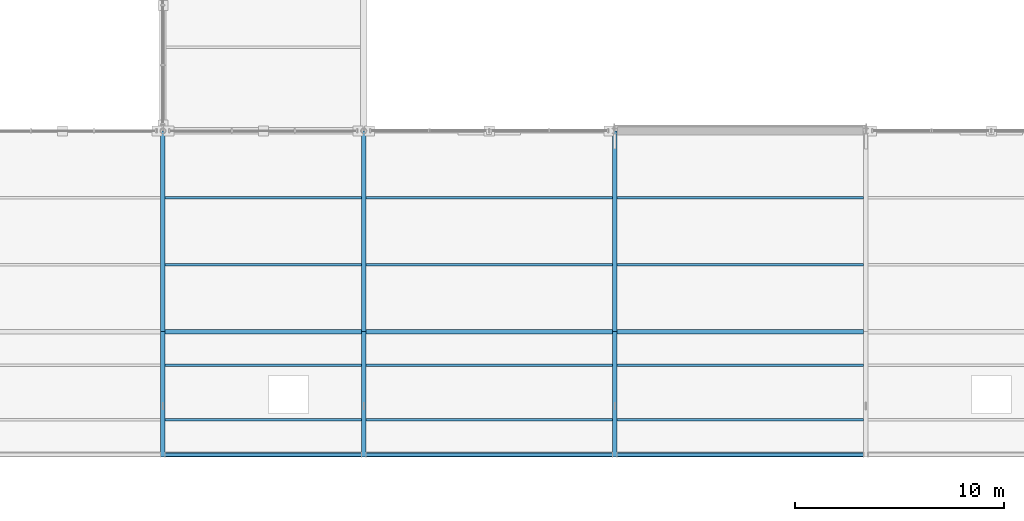
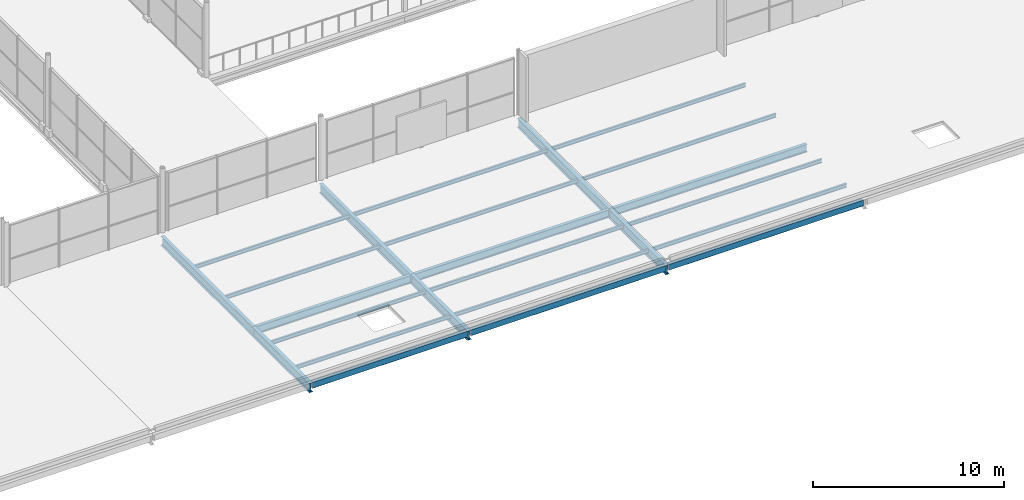
# One storey, part 43 of 159: 24 beams.
"""IFC4 building model written with IfcOpenShell, lengths in metres."""

import ifcopenshell
import ifcopenshell.guid

model = None  # the IFC model being written
_history = None  # IfcOwnerHistory: only IFC2X3 demands one
_inside = {}  # id of a spatial element -> (the spatial element, [elements in it])
_under = {}  # id of a project, library or spatial element -> (it, [spatial elements below it])
_declared = {}  # id of a project -> (the project, [libraries it declares])
_typed = {}  # id of a type object -> (the type object, [elements of that type])
_made_of = {}  # id of a material, layer set ... -> (it, [elements and type objects made of it])


def new_model(schema):
    """Start an empty IFC model of exactly this schema.

    Asked for "IFC4X3", IfcOpenShell would pick the latest addendum, in which some entities
    have other attributes; the version numbers below select the first issue.
    IFC2X3 requires an IfcOwnerHistory on every rooted entity: one is made here for all.
    """
    global model, _history
    if schema == "IFC4X3":
        model = ifcopenshell.file(schema_version=(4, 3, 0, 0))
    else:
        model = ifcopenshell.file(schema=schema)
    _inside.clear()
    _under.clear()
    _declared.clear()
    _typed.clear()
    _made_of.clear()
    _history = None
    if model.schema == "IFC2X3":
        org = make("IfcOrganization", Name="unknown")
        user = make(
            "IfcPersonAndOrganization",
            ThePerson=make("IfcPerson", FamilyName="unknown"),
            TheOrganization=org,
        )
        app = make(
            "IfcApplication",
            ApplicationDeveloper=org,
            Version="unknown",
            ApplicationFullName="unknown",
            ApplicationIdentifier="unknown",
        )
        _history = make(
            "IfcOwnerHistory",
            OwningUser=user,
            OwningApplication=app,
            ChangeAction="ADDED",
            CreationDate=0,
        )
    return model


def make(cls, **values):
    """One entity of the class cls with the attributes given. An attribute that is None is left unset."""
    return model.create_entity(
        cls, **{name: value for name, value in values.items() if value is not None}
    )


def rooted(cls, **values):
    """An entity with a GlobalId (a new one), such as an element, a storey or a relation."""
    return make(cls, GlobalId=ifcopenshell.guid.new(), OwnerHistory=_history, **values)


def si_unit(unit_type, name, prefix=None):
    """IfcSIUnit, for example si_unit("LENGTHUNIT", "METRE", prefix="MILLI")."""
    return make("IfcSIUnit", UnitType=unit_type, Prefix=prefix, Name=name)


def assignment(units):
    """IfcUnitAssignment: the units of a project."""
    return None if units is None else make("IfcUnitAssignment", Units=units)


def point(xyz):
    """IfcCartesianPoint."""
    return None if xyz is None else make("IfcCartesianPoint", Coordinates=xyz)


def direction(xyz):
    """IfcDirection."""
    return None if xyz is None else make("IfcDirection", DirectionRatios=xyz)


def frame(location, z_axis=None, x_axis=None):
    """IfcAxis2Placement3D, a coordinate frame: its origin and axes. An axis left out is left unset."""
    return make(
        "IfcAxis2Placement3D",
        Location=point(location),
        Axis=direction(z_axis),
        RefDirection=direction(x_axis),
    )


def frame_2d(location, x_axis=None):
    """IfcAxis2Placement2D, a coordinate frame in the plane: its origin and x axis."""
    return make(
        "IfcAxis2Placement2D", Location=point(location), RefDirection=direction(x_axis)
    )


def origin():
    """The frame at (0, 0, 0) with its axes left unset."""
    return frame((0.0, 0.0, 0.0))


def origin_2d():
    """The frame at (0, 0) in the plane with its x axis left unset."""
    return frame_2d((0.0, 0.0))


def place(relative_to, where):
    """IfcLocalPlacement: puts the frame where relative to a parent placement (None: the world)."""
    return make(
        "IfcLocalPlacement", PlacementRelTo=relative_to, RelativePlacement=where
    )


def context(
    kind, dimensions, precision=None, world=None, true_north=None, identifier=None
):
    """IfcGeometricRepresentationContext, for example the 3D "Model" context."""
    return make(
        "IfcGeometricRepresentationContext",
        ContextIdentifier=identifier,
        ContextType=kind,
        CoordinateSpaceDimension=dimensions,
        Precision=precision,
        WorldCoordinateSystem=world,
        TrueNorth=true_north,
    )


def subcontext(parent, identifier, kind, view, scale=None):
    """IfcGeometricRepresentationSubContext, for example "Body" below "Model"."""
    return make(
        "IfcGeometricRepresentationSubContext",
        ContextIdentifier=identifier,
        ContextType=kind,
        ParentContext=parent,
        TargetScale=scale,
        TargetView=view,
    )


def project(units=None, contexts=None):
    """IfcProject with its units and contexts."""
    return rooted(
        "IfcProject",
        Name="project",
        RepresentationContexts=contexts,
        UnitsInContext=assignment(units),
    )


def spatial(cls, under=None, at=None, **own):
    """A site, building, storey or space (cls), placed at a placement, below another one or the project."""
    s = rooted(cls, ObjectPlacement=at, **own)
    if under is not None:
        _under.setdefault(under.id(), (under, []))[1].append(s)
    return s


def profile(cls, at=None, kind="AREA", **sizes):
    """A parametric profile (cls). Its sizes go by their IFC names, for example OverallWidth=200.0."""
    return make(cls, ProfileType=kind, Position=at, **sizes)


def hollow_rectangle(**sizes):
    """IfcRectangleHollowProfileDef."""
    return profile("IfcRectangleHollowProfileDef", **sizes)


def i_section(**sizes):
    """IfcIShapeProfileDef."""
    return profile("IfcIShapeProfileDef", **sizes)


def extrude(swept, where, along, depth):
    """IfcExtrudedAreaSolid: the profile swept, set in the frame where, extruded along a direction by depth."""
    return make(
        "IfcExtrudedAreaSolid",
        SweptArea=swept,
        Position=where,
        ExtrudedDirection=direction(along),
        Depth=depth,
    )


def shape(context_of_items, identifier, shape_type, items):
    """IfcShapeRepresentation: the items that make up one representation, for example the "Body"."""
    return make(
        "IfcShapeRepresentation",
        ContextOfItems=context_of_items,
        RepresentationIdentifier=identifier,
        RepresentationType=shape_type,
        Items=items,
    )


def material(Name=None, Category=None):
    """IfcMaterial."""
    return make("IfcMaterial", Name=Name, Category=Category)


def material_profile(
    of_material, cross_section, Name=None, Category=None, Priority=None
):
    """IfcMaterialProfile: a cross section and its material."""
    return make(
        "IfcMaterialProfile",
        Name=Name,
        Material=of_material,
        Profile=cross_section,
        Priority=Priority,
        Category=Category,
    )


def profile_set(profiles, Name=None, composite=None):
    """IfcMaterialProfileSet."""
    return make(
        "IfcMaterialProfileSet",
        Name=Name,
        MaterialProfiles=profiles,
        CompositeProfile=composite,
    )


def made_of(thing, what):
    """Note that an element or type object is made of a material, layer set ...; save() writes the relation."""
    if what is not None:
        _made_of.setdefault(what.id(), (what, []))[1].append(thing)
    return thing


def type_object(cls, material=None, **own):
    """A type object (cls), such as IfcWallType, which elements share."""
    return made_of(rooted(cls, **own), material)


def element(
    cls,
    number,
    at=None,
    inside=None,
    cuts=None,
    type_object=None,
    material=None,
    context=None,
    identifier="Body",
    shape_type=None,
    held_by="IfcProductDefinitionShape",
    body=None,
    shapes=None,
    **own,
):
    """One element of the class cls, such as IfcWall. Its Tag is "e" and its number.

    at: its placement. inside: the storey or other place that contains it. cuts: it is an
    opening in that element (IfcRelVoidsElement). A single representation is given by context,
    identifier, shape_type and body (its items); several are given by shapes. held_by: the class
    of the entity that holds the representations. save() writes the other relations.
    """
    e = rooted(cls, Tag="e%d" % number, ObjectPlacement=at, **own)
    if body is not None:
        shapes = [shape(context, identifier, shape_type, body)]
    if shapes is not None:
        e.Representation = make(held_by, Representations=shapes)
    if inside is not None:
        _inside.setdefault(inside.id(), (inside, []))[1].append(e)
    if cuts is not None:
        rooted(
            "IfcRelVoidsElement", RelatingBuildingElement=cuts, RelatedOpeningElement=e
        )
    if type_object is not None:
        _typed.setdefault(type_object.id(), (type_object, []))[1].append(e)
    return made_of(e, material)


def aggregate(whole, parts):
    """IfcRelAggregates: a whole, such as a stair, and the parts it consists of."""
    return rooted("IfcRelAggregates", RelatingObject=whole, RelatedObjects=parts)


def save(model, path):
    """Write the relations noted so far, then the file.

    IfcRelAggregates (storeys below a building ...), IfcRelContainedInSpatialStructure (elements
    in a storey), IfcRelDefinesByType, IfcRelAssociatesMaterial and IfcRelDeclares: one each for
    every whole, place, type object, material and project.
    """
    for whole, parts in _under.values():
        aggregate(whole, parts)
    for where, things in _inside.values():
        rooted(
            "IfcRelContainedInSpatialStructure",
            RelatedElements=things,
            RelatingStructure=where,
        )
    for kind, things in _typed.values():
        rooted("IfcRelDefinesByType", RelatedObjects=things, RelatingType=kind)
    for what, things in _made_of.values():
        rooted("IfcRelAssociatesMaterial", RelatedObjects=things, RelatingMaterial=what)
    for by, libraries in _declared.values():
        rooted("IfcRelDeclares", RelatingContext=by, RelatedDefinitions=libraries)
    model.write(path)


model = new_model("IFC4")

# Units and contexts
model_context = context("Model", 3, precision=1e-05, world=origin(), true_north=direction((0.0, 1.0)))
body_context = subcontext(model_context, "Body", "Model", "MODEL_VIEW")
ifc_project = project(units=[si_unit("LENGTHUNIT", "METRE"), si_unit("AREAUNIT", "SQUARE_METRE"), si_unit("VOLUMEUNIT", "CUBIC_METRE"), si_unit("PLANEANGLEUNIT", "RADIAN"), si_unit("MASSUNIT", "GRAM", prefix="KILO")], contexts=[model_context])

# Site, building, storey
site_placement = place(None, origin())
site = spatial("IfcSite", under=ifc_project, at=site_placement, CompositionType="ELEMENT")
building_placement = place(site_placement, origin())
building = spatial("IfcBuilding", under=site, at=building_placement, Name="Merenkruunu Market Hall", CompositionType="ELEMENT")
storey_placement = place(building_placement, frame((0.0, 0.0, 5.39990234375)))
storey = spatial("IfcBuildingStorey", under=building, at=storey_placement, Name="L01", CompositionType="ELEMENT", Elevation=5.39990234375)

# Beams
ifc_material_1 = material(Name="Steel S355ML", Category="steel")
ifc_material_profile_1 = material_profile(ifc_material_1, hollow_rectangle(XDim=0.199951171875, YDim=0.39990234375, WallThickness=0.01611328125, InnerFilletRadius=0.01611328125, OuterFilletRadius=0.031982421875, at=origin_2d()), Name="RHS 400x200x16")
ifc_profile_set_1 = profile_set([ifc_material_profile_1], Name="Steel S355ML")
beam_type_1 = type_object("IfcBeamType", Name="Perimeter Spandrel Beam SP01", PredefinedType="SPANDREL", material=ifc_profile_set_1)
beam_1_placement = place(storey_placement, frame((67.31298828125, 0.1201171875, 0.239990234375), z_axis=(1.0, 0.0, 0.0), x_axis=(0.0, 1.0, 0.0)))
element("IfcBeam", 1, at=beam_1_placement, inside=storey, type_object=beam_type_1, Name="BM-L01-SP01-1137", PredefinedType="SPANDREL", context=body_context, shape_type="SweptSolid", body=[
    extrude(hollow_rectangle(XDim=0.199951171875, YDim=0.39990234375, WallThickness=0.01611328125, InnerFilletRadius=0.01611328125, OuterFilletRadius=0.031982421875, at=origin_2d()), origin(), (0.0, 0.0, 1.0), 9.3740234375),
])
for number, where, z_axis, x_axis, name in (
    (2, (76.9130859375, 0.1201171875, 0.239990234375), (1.0, 0.0, 0.0), (0.0, 1.0, 0.0), "BM-L01-SP01-1143"),
    (3, (88.9130859375, 0.1201171875, 0.239990234375), (1.0, 0.0, 0.0), (0.0, 1.0, 0.0), "BM-L01-SP01-1149"),
):
    element("IfcBeam", number, at=place(storey_placement, frame(where, z_axis=z_axis, x_axis=x_axis)), inside=storey, type_object=beam_type_1, Name=name, PredefinedType="SPANDREL", context=body_context, shape_type="SweptSolid", body=[
        extrude(hollow_rectangle(XDim=0.199951171875, YDim=0.39990234375, WallThickness=0.01611328125, InnerFilletRadius=0.01611328125, OuterFilletRadius=0.031982421875, at=origin_2d()), origin(), (0.0, 0.0, 1.0), 11.77392578125),
    ])
ifc_material_profile_2 = material_profile(ifc_material_1, i_section(OverallWidth=0.219970703125, OverallDepth=0.60009765625, WebThickness=0.011962890625, FlangeThickness=0.01904296875, FilletRadius=0.02392578125, at=origin_2d()), Name="IPE 600")
ifc_profile_set_2 = profile_set([ifc_material_profile_2], Name="Steel S355ML")
beam_type_2 = type_object("IfcBeamType", Name="Primary Floor Girder B10", PredefinedType="BEAM", material=ifc_profile_set_2)
beam_2_placement = place(storey_placement, frame((67.199951171875, 15.60009765625, 0.14013671875), z_axis=(0.0, -1.0, 0.0), x_axis=(1.0, 0.0, 0.0)))
element("IfcBeam", 4, at=beam_2_placement, inside=storey, type_object=beam_type_2, Name="BM-L01-B10-1078", PredefinedType="BEAM", context=body_context, shape_type="SweptSolid", body=[
    extrude(i_section(OverallWidth=0.219970703125, OverallDepth=0.60009765625, WebThickness=0.011962890625, FlangeThickness=0.01904296875, FilletRadius=0.02392578125, at=origin_2d()), origin(), (0.0, 0.0, 1.0), 9.60009765625),
])
beam_3_placement = place(storey_placement, frame((67.199951171875, 6.0, 0.14013671875), z_axis=(0.0, -1.0, 0.0), x_axis=(1.0, 0.0, 0.0)))
element("IfcBeam", 5, at=beam_3_placement, inside=storey, type_object=beam_type_2, Name="BM-L01-B10-1079", PredefinedType="BEAM", context=body_context, shape_type="SweptSolid", body=[
    extrude(i_section(OverallWidth=0.219970703125, OverallDepth=0.60009765625, WebThickness=0.011962890625, FlangeThickness=0.01904296875, FilletRadius=0.02392578125, at=origin_2d()), origin(), (0.0, 0.0, 1.0), 6.0),
])
beam_4_placement = place(storey_placement, frame((76.800048828125, 15.60009765625, 0.14013671875), z_axis=(0.0, -1.0, 0.0), x_axis=(1.0, 0.0, 0.0)))
element("IfcBeam", 6, at=beam_4_placement, inside=storey, type_object=beam_type_2, Name="BM-L01-B10-1080", PredefinedType="BEAM", context=body_context, shape_type="SweptSolid", body=[
    extrude(i_section(OverallWidth=0.219970703125, OverallDepth=0.60009765625, WebThickness=0.011962890625, FlangeThickness=0.01904296875, FilletRadius=0.02392578125, at=origin_2d()), origin(), (0.0, 0.0, 1.0), 9.60009765625),
])
beam_5_placement = place(storey_placement, frame((76.800048828125, 6.0, 0.14013671875), z_axis=(0.0, -1.0, 0.0), x_axis=(1.0, 0.0, 0.0)))
element("IfcBeam", 7, at=beam_5_placement, inside=storey, type_object=beam_type_2, Name="BM-L01-B10-1081", PredefinedType="BEAM", context=body_context, shape_type="SweptSolid", body=[
    extrude(i_section(OverallWidth=0.219970703125, OverallDepth=0.60009765625, WebThickness=0.011962890625, FlangeThickness=0.01904296875, FilletRadius=0.02392578125, at=origin_2d()), origin(), (0.0, 0.0, 1.0), 6.0),
])
beam_6_placement = place(storey_placement, frame((88.800048828125, 15.60009765625, 0.14013671875), z_axis=(0.0, -1.0, 0.0), x_axis=(1.0, 0.0, 0.0)))
element("IfcBeam", 8, at=beam_6_placement, inside=storey, type_object=beam_type_2, Name="BM-L01-B10-1082", PredefinedType="BEAM", context=body_context, shape_type="SweptSolid", body=[
    extrude(i_section(OverallWidth=0.219970703125, OverallDepth=0.60009765625, WebThickness=0.011962890625, FlangeThickness=0.01904296875, FilletRadius=0.02392578125, at=origin_2d()), origin(), (0.0, 0.0, 1.0), 9.60009765625),
])
beam_7_placement = place(storey_placement, frame((88.800048828125, 6.0, 0.14013671875), z_axis=(0.0, -1.0, 0.0), x_axis=(1.0, 0.0, 0.0)))
element("IfcBeam", 9, at=beam_7_placement, inside=storey, type_object=beam_type_2, Name="BM-L01-B10-1083", PredefinedType="BEAM", context=body_context, shape_type="SweptSolid", body=[
    extrude(i_section(OverallWidth=0.219970703125, OverallDepth=0.60009765625, WebThickness=0.011962890625, FlangeThickness=0.01904296875, FilletRadius=0.02392578125, at=origin_2d()), origin(), (0.0, 0.0, 1.0), 6.0),
])
ifc_material_2 = material(Name="Steel S355J2", Category="steel")
ifc_material_profile_3 = material_profile(ifc_material_2, i_section(OverallWidth=0.199951171875, OverallDepth=0.5, WebThickness=0.01025390625, FlangeThickness=0.01611328125, FilletRadius=0.02099609375, at=origin_2d()), Name="IPE 500")
ifc_profile_set_3 = profile_set([ifc_material_profile_3], Name="Steel S355J2")
beam_type_3 = type_object("IfcBeamType", Name="Primary Floor Girder B11", PredefinedType="BEAM", material=ifc_profile_set_3)
beam_8_placement = place(storey_placement, frame((67.31298828125, 6.0, 0.190185546875), z_axis=(1.0, 0.0, 0.0), x_axis=(0.0, 1.0, 0.0)))
element("IfcBeam", 10, at=beam_8_placement, inside=storey, type_object=beam_type_3, Name="BM-L01-B11-1136", PredefinedType="BEAM", context=body_context, shape_type="SweptSolid", body=[
    extrude(i_section(OverallWidth=0.199951171875, OverallDepth=0.5, WebThickness=0.01025390625, FlangeThickness=0.01611328125, FilletRadius=0.02099609375, at=origin_2d()), origin(), (0.0, 0.0, 1.0), 9.3740234375),
])
for number, where, z_axis, x_axis, name in (
    (11, (76.9130859375, 6.0, 0.190185546875), (1.0, 0.0, 0.0), (0.0, 1.0, 0.0), "BM-L01-B11-1142"),
    (12, (88.9130859375, 6.0, 0.190185546875), (1.0, 0.0, 0.0), (0.0, 1.0, 0.0), "BM-L01-B11-1148"),
):
    element("IfcBeam", number, at=place(storey_placement, frame(where, z_axis=z_axis, x_axis=x_axis)), inside=storey, type_object=beam_type_3, Name=name, PredefinedType="BEAM", context=body_context, shape_type="SweptSolid", body=[
        extrude(i_section(OverallWidth=0.199951171875, OverallDepth=0.5, WebThickness=0.01025390625, FlangeThickness=0.01611328125, FilletRadius=0.02099609375, at=origin_2d()), origin(), (0.0, 0.0, 1.0), 11.77392578125),
    ])
ifc_material_profile_4 = material_profile(ifc_material_2, i_section(OverallWidth=0.1201171875, OverallDepth=0.239990234375, WebThickness=0.006103515625, FlangeThickness=0.009765625, FilletRadius=0.014892578125, at=origin_2d()), Name="IPE 240")
ifc_profile_set_4 = profile_set([ifc_material_profile_4], Name="Steel S355J2")
beam_type_4 = type_object("IfcBeamType", Name="Secondary Floor Joist J05", PredefinedType="JOIST", material=ifc_profile_set_4)
for number, where, z_axis, x_axis, name in (
    (13, (67.31298828125, 1.800048828125, 0.320068359375), (1.0, 0.0, 0.0), (0.0, 1.0, 0.0), "BM-L01-J05-1138"),
    (14, (67.31298828125, 4.39990234375, 0.320068359375), (1.0, 0.0, 0.0), (0.0, 1.0, 0.0), "BM-L01-J05-1139"),
    (15, (67.31298828125, 9.199951171875, 0.320068359375), (1.0, 0.0, 0.0), (0.0, 1.0, 0.0), "BM-L01-J05-1140"),
    (16, (67.31298828125, 12.39990234375, 0.320068359375), (1.0, 0.0, 0.0), (0.0, 1.0, 0.0), "BM-L01-J05-1141"),
):
    element("IfcBeam", number, at=place(storey_placement, frame(where, z_axis=z_axis, x_axis=x_axis)), inside=storey, type_object=beam_type_4, Name=name, PredefinedType="JOIST", context=body_context, shape_type="SweptSolid", body=[
        extrude(i_section(OverallWidth=0.1201171875, OverallDepth=0.239990234375, WebThickness=0.006103515625, FlangeThickness=0.009765625, FilletRadius=0.014892578125, at=origin_2d()), origin(), (0.0, 0.0, 1.0), 9.3740234375),
    ])
for number, where, z_axis, x_axis, name in (
    (17, (76.9130859375, 1.800048828125, 0.320068359375), (1.0, 0.0, 0.0), (0.0, 1.0, 0.0), "BM-L01-J05-1144"),
    (18, (76.9130859375, 4.39990234375, 0.320068359375), (1.0, 0.0, 0.0), (0.0, 1.0, 0.0), "BM-L01-J05-1145"),
    (19, (76.9130859375, 9.199951171875, 0.320068359375), (1.0, 0.0, 0.0), (0.0, 1.0, 0.0), "BM-L01-J05-1146"),
    (20, (76.9130859375, 12.39990234375, 0.320068359375), (1.0, 0.0, 0.0), (0.0, 1.0, 0.0), "BM-L01-J05-1147"),
    (21, (88.9130859375, 1.800048828125, 0.320068359375), (1.0, 0.0, 0.0), (0.0, 1.0, 0.0), "BM-L01-J05-1150"),
    (22, (88.9130859375, 4.39990234375, 0.320068359375), (1.0, 0.0, 0.0), (0.0, 1.0, 0.0), "BM-L01-J05-1151"),
    (23, (88.9130859375, 9.199951171875, 0.320068359375), (1.0, 0.0, 0.0), (0.0, 1.0, 0.0), "BM-L01-J05-1152"),
    (24, (88.9130859375, 12.39990234375, 0.320068359375), (1.0, 0.0, 0.0), (0.0, 1.0, 0.0), "BM-L01-J05-1153"),
):
    element("IfcBeam", number, at=place(storey_placement, frame(where, z_axis=z_axis, x_axis=x_axis)), inside=storey, type_object=beam_type_4, Name=name, PredefinedType="JOIST", context=body_context, shape_type="SweptSolid", body=[
        extrude(i_section(OverallWidth=0.1201171875, OverallDepth=0.239990234375, WebThickness=0.006103515625, FlangeThickness=0.009765625, FilletRadius=0.014892578125, at=origin_2d()), origin(), (0.0, 0.0, 1.0), 11.77392578125),
    ])

save(model, "model.ifc")
